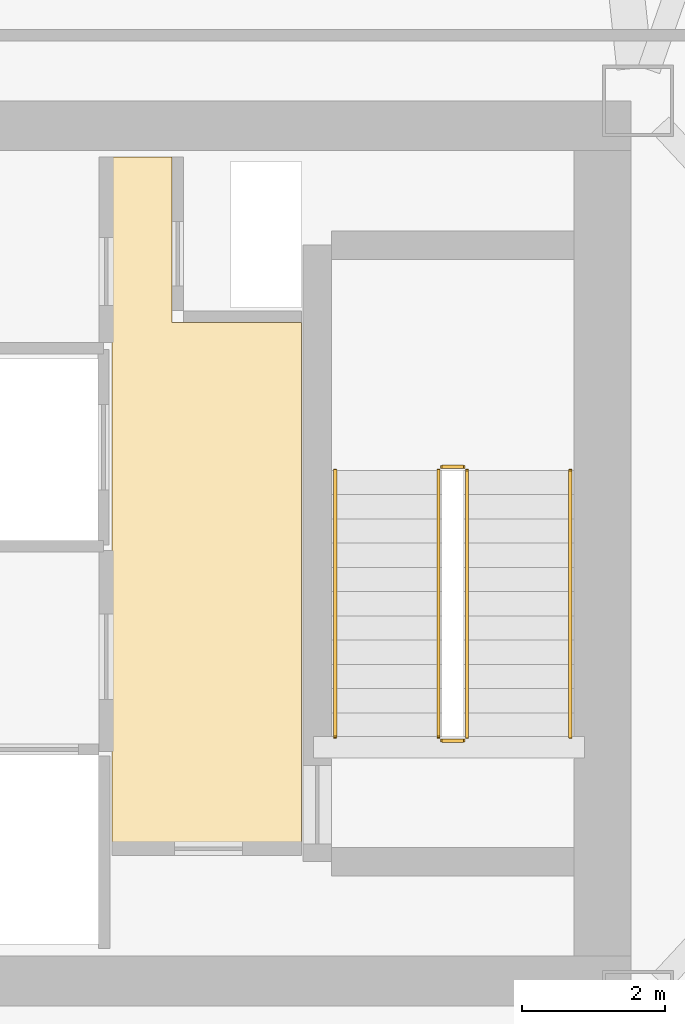
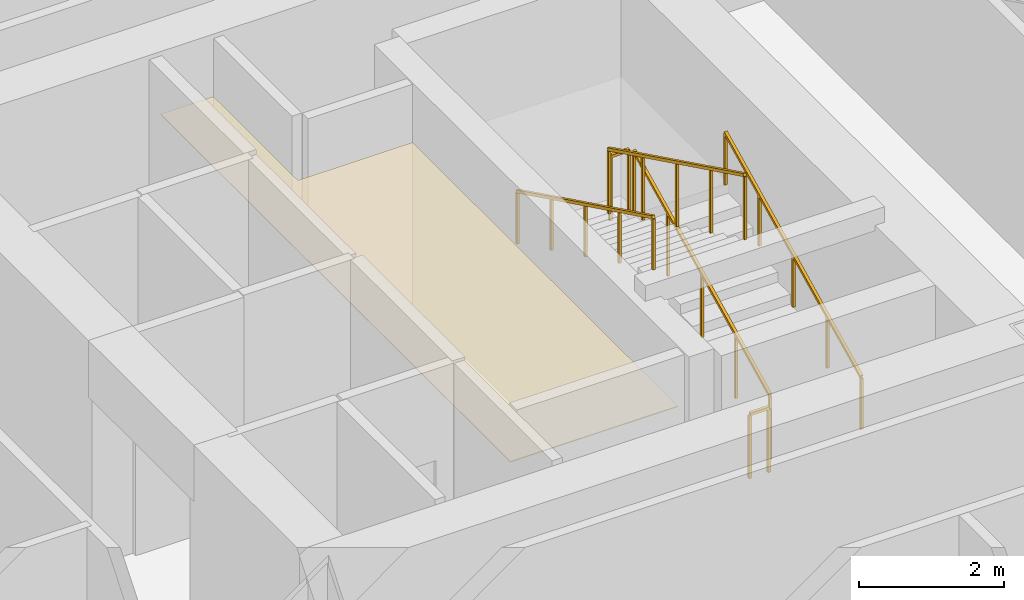
# One storey, part 21 of 21: 6 railings, 1 covering.
"""IFC4 building model written with IfcOpenShell, lengths in metres."""

from ifc_helpers import new_model, si_unit, direction, frame, origin, origin_2d, place, context, subcontext, project, spatial, polyline, rectangle, outline, extrude, material, layer, layer_set, type_object, element, save


model = new_model("IFC4")

# Units and contexts
model_context = context("Model", 3, precision=1e-05, world=origin(), true_north=direction((0.0, 1.0)))
body_context = subcontext(model_context, "Body", "Model", "MODEL_VIEW")
ifc_project = project(units=[si_unit("LENGTHUNIT", "METRE"), si_unit("AREAUNIT", "SQUARE_METRE"), si_unit("VOLUMEUNIT", "CUBIC_METRE"), si_unit("PLANEANGLEUNIT", "RADIAN"), si_unit("MASSUNIT", "GRAM", prefix="KILO")], contexts=[model_context])

# Site, building, storey
site_placement = place(None, origin())
site = spatial("IfcSite", under=ifc_project, at=site_placement, CompositionType="ELEMENT")
building_placement = place(site_placement, origin())
building = spatial("IfcBuilding", under=site, at=building_placement, Name="Tavrogorsk Clinical Tower", CompositionType="ELEMENT")
storey_placement = place(building_placement, frame((0.0, 0.0, 109.39990234375)))
storey = spatial("IfcBuildingStorey", under=building, at=storey_placement, Name="L24", CompositionType="ELEMENT", Elevation=109.39990234375)

# Covering
ifc_material_1 = material(Name="Antibacterial micro-perforated aluminium ceiling", Category="aluminium")
ifc_layer_1 = layer(ifc_material_1, 0.014892578125)
ifc_layer_set_1 = layer_set([ifc_layer_1], Name="Antibacterial micro-perforated aluminium ceiling")
covering_type = type_object("IfcCoveringType", Name="ClinicalCeiling_15", PredefinedType="CEILING", material=ifc_layer_set_1)
covering_placement = place(storey_placement, frame((0.0, 0.0, 2.75)))
element("IfcCovering", 1, at=covering_placement, inside=storey, type_object=covering_type, Name="Core East Firefighting Lift Lobby Acoustic Ceiling", PredefinedType="CEILING", context=body_context, shape_type="SweptSolid", body=[
    extrude(outline(polyline([(17.3798828125, -4.06005859375), (14.719970703125, -4.06005859375), (14.719970703125, 5.56005859375), (15.56005859375, 5.56005859375), (15.56005859375, 3.239990234375), (17.3798828125, 3.239990234375), (17.3798828125, -4.06005859375)])), origin(), (0.0, 0.0, 1.0), 0.01513671875),
])

# Railings
ifc_material_2 = material(Name="Galvanised steel S355 safety stairwell guard", Category="steel")
ifc_layer_2 = layer(ifc_material_2, 0.06005859375)
ifc_layer_set_2 = layer_set([ifc_layer_2], Name="Galvanised steel S355 safety stairwell guard")
railing_type_1 = type_object("IfcRailingType", Name="StairGuard_1150", PredefinedType="GUARDRAIL", material=ifc_layer_set_2)
railing_1_placement = place(storey_placement, frame((19.699951171875, -2.574951171875, 0.166748046875)))
element("IfcRailing", 2, at=railing_1_placement, inside=storey, type_object=railing_type_1, Name="L24 ST-E stair guard 1", PredefinedType="GUARDRAIL", context=body_context, shape_type="SweptSolid", body=[
    extrude(rectangle(XDim=0.048095703125, YDim=0.048095703125, at=origin_2d()), frame((0.0, 0.0, 1.076171875), z_axis=(0.0, 0.897927990467, 0.440142390523), x_axis=(-1.0, 0.0, 0.0)), (0.0, 0.0, 1.0), 4.1650390625),
    extrude(rectangle(XDim=0.0419921875, YDim=0.0419921875, at=origin_2d()), origin(), (0.0, 0.0, 1.0), 1.052001953125),
    extrude(rectangle(XDim=0.0419921875, YDim=0.0419921875, at=origin_2d()), frame((0.0, 0.93505859375, 0.458251953125)), (0.0, 0.0, 1.0), 1.052001953125),
    extrude(rectangle(XDim=0.0419921875, YDim=0.0419921875, at=origin_2d()), frame((0.0, 1.8701171875, 0.91650390625)), (0.0, 0.0, 1.0), 1.052001953125),
    extrude(rectangle(XDim=0.0419921875, YDim=0.0419921875, at=origin_2d()), frame((0.0, 2.804931640625, 1.375)), (0.0, 0.0, 1.0), 1.052001953125),
    extrude(rectangle(XDim=0.0419921875, YDim=0.0419921875, at=origin_2d()), frame((0.0, 3.739990234375, 1.833251953125)), (0.0, 0.0, 1.0), 1.052001953125),
])
railing_2_placement = place(storey_placement, frame((19.64990234375, 1.215087890625, 2.0)))
element("IfcRailing", 3, at=railing_2_placement, inside=storey, type_object=railing_type_1, Name="L24 ST-E stair guard 2", PredefinedType="GUARDRAIL", context=body_context, shape_type="SweptSolid", body=[
    extrude(rectangle(XDim=0.048095703125, YDim=0.048095703125, at=origin_2d()), frame((0.0, 0.0, 1.076171875), z_axis=(-1.0, 0.0, 0.0), x_axis=(0.0, -1.0, 0.0)), (0.0, 0.0, 1.0), 0.2998046875),
    extrude(rectangle(XDim=0.0419921875, YDim=0.0419921875, at=origin_2d()), origin(), (0.0, 0.0, 1.0), 1.052001953125),
    extrude(rectangle(XDim=0.0419921875, YDim=0.0419921875, at=origin_2d()), frame((-0.2998046875, 0.0, 0.0)), (0.0, 0.0, 1.0), 1.052001953125),
])
railing_3_placement = place(storey_placement, frame((19.300048828125, 1.1650390625, 2.166748046875)))
element("IfcRailing", 4, at=railing_3_placement, inside=storey, type_object=railing_type_1, Name="L24 ST-E stair guard 3", PredefinedType="GUARDRAIL", context=body_context, shape_type="SweptSolid", body=[
    extrude(rectangle(XDim=0.048095703125, YDim=0.048095703125, at=origin_2d()), frame((0.0, 0.0, 1.076171875), z_axis=(0.0, -0.897927990467, 0.440142390523), x_axis=(1.0, 0.0, 0.0)), (0.0, 0.0, 1.0), 4.1650390625),
    extrude(rectangle(XDim=0.0419921875, YDim=0.0419921875, at=origin_2d()), origin(), (0.0, 0.0, 1.0), 1.052001953125),
    extrude(rectangle(XDim=0.0419921875, YDim=0.0419921875, at=origin_2d()), frame((0.0, -0.93505859375, 0.458251953125)), (0.0, 0.0, 1.0), 1.052001953125),
    extrude(rectangle(XDim=0.0419921875, YDim=0.0419921875, at=origin_2d()), frame((0.0, -1.8701171875, 0.91650390625)), (0.0, 0.0, 1.0), 1.052001953125),
    extrude(rectangle(XDim=0.0419921875, YDim=0.0419921875, at=origin_2d()), frame((0.0, -2.804931640625, 1.375)), (0.0, 0.0, 1.0), 1.052001953125),
    extrude(rectangle(XDim=0.0419921875, YDim=0.0419921875, at=origin_2d()), frame((0.0, -3.739990234375, 1.833251953125)), (0.0, 0.0, 1.0), 1.052001953125),
])
railing_4_placement = place(storey_placement, frame((19.64990234375, -2.625, 0.0)))
element("IfcRailing", 5, at=railing_4_placement, inside=storey, type_object=railing_type_1, Name="L24 ST-E stair guard 4", PredefinedType="GUARDRAIL", context=body_context, shape_type="SweptSolid", body=[
    extrude(rectangle(XDim=0.048095703125, YDim=0.048095703125, at=origin_2d()), frame((0.0, 0.0, 1.076171875), z_axis=(-1.0, 0.0, 0.0), x_axis=(0.0, -1.0, 0.0)), (0.0, 0.0, 1.0), 0.2998046875),
    extrude(rectangle(XDim=0.0419921875, YDim=0.0419921875, at=origin_2d()), origin(), (0.0, 0.0, 1.0), 1.052001953125),
    extrude(rectangle(XDim=0.0419921875, YDim=0.0419921875, at=origin_2d()), frame((-0.2998046875, 0.0, 0.0)), (0.0, 0.0, 1.0), 1.052001953125),
])
ifc_material_3 = material(Name="Stainless steel AISI 304 tubular handrail", Category="steel")
ifc_layer_3 = layer(ifc_material_3, 0.050048828125)
ifc_layer_set_3 = layer_set([ifc_layer_3], Name="Stainless steel AISI 304 tubular handrail")
railing_type_2 = type_object("IfcRailingType", Name="StairHandrail_920", PredefinedType="HANDRAIL", material=ifc_layer_set_3)
railing_5_placement = place(storey_placement, frame((21.14990234375, -2.574951171875, 0.166748046875)))
element("IfcRailing", 6, at=railing_5_placement, inside=storey, type_object=railing_type_2, Name="L24 ST-E stair handrail 1", PredefinedType="HANDRAIL", context=body_context, shape_type="SweptSolid", body=[
    extrude(rectangle(XDim=0.048095703125, YDim=0.048095703125, at=origin_2d()), frame((0.0, 0.0, 0.8759765625), z_axis=(0.0, 0.897927990467, 0.440142390523), x_axis=(-1.0, 0.0, 0.0)), (0.0, 0.0, 1.0), 4.1650390625),
    extrude(rectangle(XDim=0.0419921875, YDim=0.0419921875, at=origin_2d()), origin(), (0.0, 0.0, 1.0), 0.851806640625),
    extrude(rectangle(XDim=0.0419921875, YDim=0.0419921875, at=origin_2d()), frame((0.0, 0.93505859375, 0.458251953125)), (0.0, 0.0, 1.0), 0.851806640625),
    extrude(rectangle(XDim=0.0419921875, YDim=0.0419921875, at=origin_2d()), frame((0.0, 1.8701171875, 0.91650390625)), (0.0, 0.0, 1.0), 0.851806640625),
    extrude(rectangle(XDim=0.0419921875, YDim=0.0419921875, at=origin_2d()), frame((0.0, 2.804931640625, 1.375)), (0.0, 0.0, 1.0), 0.851806640625),
    extrude(rectangle(XDim=0.0419921875, YDim=0.0419921875, at=origin_2d()), frame((0.0, 3.739990234375, 1.833251953125)), (0.0, 0.0, 1.0), 0.851806640625),
])
railing_6_placement = place(storey_placement, frame((17.85009765625, 1.1650390625, 2.166748046875)))
element("IfcRailing", 7, at=railing_6_placement, inside=storey, type_object=railing_type_2, Name="L24 ST-E stair handrail 2", PredefinedType="HANDRAIL", context=body_context, shape_type="SweptSolid", body=[
    extrude(rectangle(XDim=0.048095703125, YDim=0.048095703125, at=origin_2d()), frame((0.0, 0.0, 0.8759765625), z_axis=(0.0, -0.897927990467, 0.440142390523), x_axis=(1.0, 0.0, 0.0)), (0.0, 0.0, 1.0), 4.1650390625),
    extrude(rectangle(XDim=0.0419921875, YDim=0.0419921875, at=origin_2d()), origin(), (0.0, 0.0, 1.0), 0.851806640625),
    extrude(rectangle(XDim=0.0419921875, YDim=0.0419921875, at=origin_2d()), frame((0.0, -0.93505859375, 0.458251953125)), (0.0, 0.0, 1.0), 0.851806640625),
    extrude(rectangle(XDim=0.0419921875, YDim=0.0419921875, at=origin_2d()), frame((0.0, -1.8701171875, 0.91650390625)), (0.0, 0.0, 1.0), 0.851806640625),
    extrude(rectangle(XDim=0.0419921875, YDim=0.0419921875, at=origin_2d()), frame((0.0, -2.804931640625, 1.375)), (0.0, 0.0, 1.0), 0.851806640625),
    extrude(rectangle(XDim=0.0419921875, YDim=0.0419921875, at=origin_2d()), frame((0.0, -3.739990234375, 1.833251953125)), (0.0, 0.0, 1.0), 0.851806640625),
])

save(model, "model.ifc")
